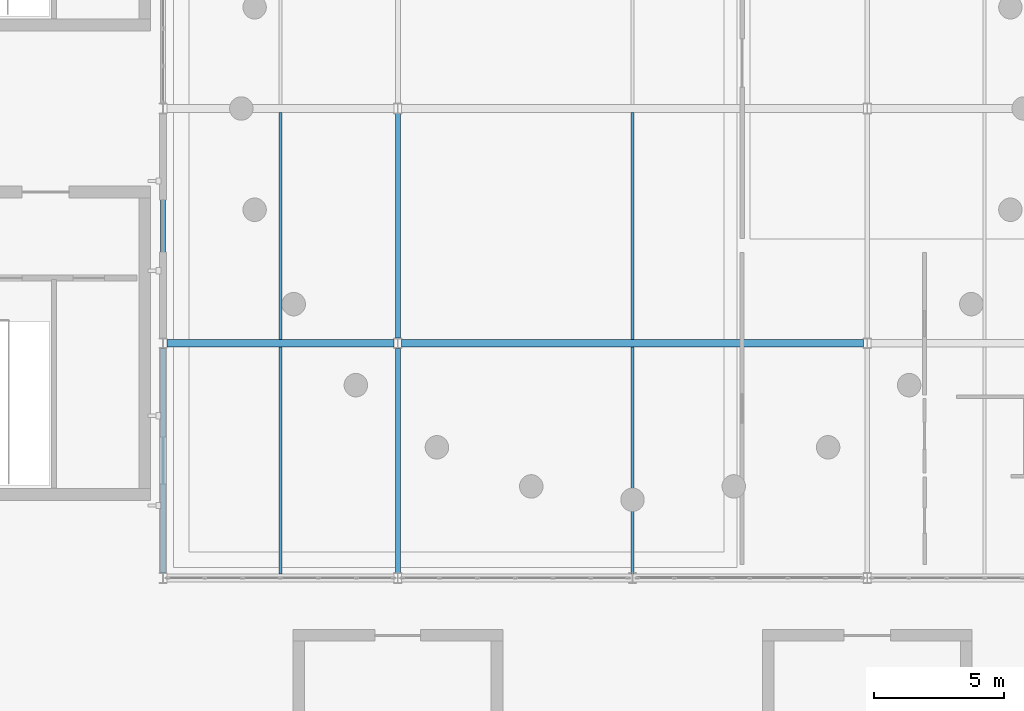
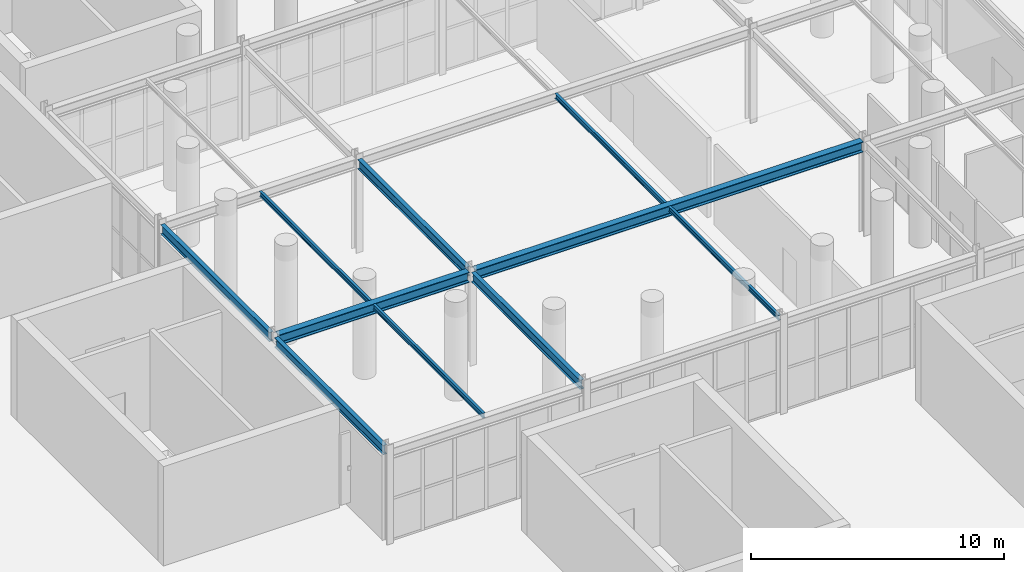
# One storey, part 7 of 29: 10 beams.
"""IFC4 building model written with IfcOpenShell, lengths in metres."""

from ifc_helpers import new_model, si_unit, direction, frame, origin, origin_2d, place, context, subcontext, project, spatial, i_section, extrude, material, material_profile, profile_set, type_object, element, save


model = new_model("IFC4")

# Units and contexts
model_context = context("Model", 3, precision=1e-05, world=origin(), true_north=direction((0.0, 1.0)))
body_context = subcontext(model_context, "Body", "Model", "MODEL_VIEW")
ifc_project = project(units=[si_unit("LENGTHUNIT", "METRE"), si_unit("AREAUNIT", "SQUARE_METRE"), si_unit("VOLUMEUNIT", "CUBIC_METRE"), si_unit("PLANEANGLEUNIT", "RADIAN"), si_unit("MASSUNIT", "GRAM", prefix="KILO")], contexts=[model_context])

# Site, building, storey
site_placement = place(None, origin())
site = spatial("IfcSite", under=ifc_project, at=site_placement, CompositionType="ELEMENT")
building_placement = place(site_placement, origin())
building = spatial("IfcBuilding", under=site, at=building_placement, Name="Dornveld Trade and Exhibition Forum", CompositionType="ELEMENT")
storey_placement = place(building_placement, frame((0.0, 0.0, 21.60009765625)))
storey = spatial("IfcBuildingStorey", under=building, at=storey_placement, Name="L04", CompositionType="ELEMENT", Elevation=21.60009765625)

# Beams
ifc_material_1 = material(Name="Steel S355J2", Category="steel")
ifc_material_profile_1 = material_profile(ifc_material_1, i_section(OverallWidth=0.300048828125, OverallDepth=0.5, WebThickness=0.014404296875, FlangeThickness=0.028076171875, FilletRadius=0.027099609375, at=origin_2d()), Name="HEB 500")
ifc_profile_set_1 = profile_set([ifc_material_profile_1], Name="Steel S355J2")
beam_type_1 = type_object("IfcBeamType", Name="BM-GIR-HEB500", PredefinedType="USERDEFINED", material=ifc_profile_set_1)
beam_1_placement = place(storey_placement, frame((99.14599609375, 72.0, 4.2998046875), z_axis=(1.0, 0.0, 0.0), x_axis=(0.0, 1.0, 0.0)))
element("IfcBeam", 1, at=beam_1_placement, inside=storey, type_object=beam_type_1, Name="L04 X-girder 1677", ObjectType="GIRDER", PredefinedType="USERDEFINED", context=body_context, shape_type="SweptSolid", body=[
    extrude(i_section(OverallWidth=0.300048828125, OverallDepth=0.5, WebThickness=0.014404296875, FlangeThickness=0.028076171875, FilletRadius=0.027099609375, at=origin_2d()), origin(), (0.0, 0.0, 1.0), 8.7080078125),
])
beam_2_placement = place(storey_placement, frame((108.14599609375, 72.0, 4.2998046875), z_axis=(1.0, 0.0, 0.0), x_axis=(0.0, 1.0, 0.0)))
element("IfcBeam", 2, at=beam_2_placement, inside=storey, type_object=beam_type_1, Name="L04 X-girder 1678", ObjectType="GIRDER", PredefinedType="USERDEFINED", context=body_context, shape_type="SweptSolid", body=[
    extrude(i_section(OverallWidth=0.300048828125, OverallDepth=0.5, WebThickness=0.014404296875, FlangeThickness=0.028076171875, FilletRadius=0.027099609375, at=origin_2d()), origin(), (0.0, 0.0, 1.0), 17.7080078125),
])
ifc_material_2 = material(Name="Steel S355J2", Category="steel")
ifc_material_profile_2 = material_profile(ifc_material_2, i_section(OverallWidth=0.1201171875, OverallDepth=0.239990234375, WebThickness=0.006103515625, FlangeThickness=0.009765625, FilletRadius=0.014892578125, at=origin_2d()), Name="IPE 240")
ifc_profile_set_2 = profile_set([ifc_material_profile_2], Name="Steel S355J2")
beam_type_2 = type_object("IfcBeamType", Name="BM-JOIST-240", PredefinedType="JOIST", material=ifc_profile_set_2)
for number, where, z_axis, x_axis, name in (
    (3, (103.5, 63.14697265625, 4.429931640625), (0.0, 1.0, 0.0), (-1.0, 0.0, 0.0), "L04 secondary joist 1698"),
    (4, (103.5, 72.14697265625, 4.429931640625), (0.0, 1.0, 0.0), (-1.0, 0.0, 0.0), "L04 secondary joist 1699"),
    (5, (117.0, 63.14697265625, 4.429931640625), (0.0, 1.0, 0.0), (-1.0, 0.0, 0.0), "L04 secondary joist 1701"),
    (6, (117.0, 72.14697265625, 4.429931640625), (0.0, 1.0, 0.0), (-1.0, 0.0, 0.0), "L04 secondary joist 1702"),
):
    element("IfcBeam", number, at=place(storey_placement, frame(where, z_axis=z_axis, x_axis=x_axis)), inside=storey, type_object=beam_type_2, Name=name, PredefinedType="JOIST", context=body_context, shape_type="SweptSolid", body=[
        extrude(i_section(OverallWidth=0.1201171875, OverallDepth=0.239990234375, WebThickness=0.006103515625, FlangeThickness=0.009765625, FilletRadius=0.014892578125, at=origin_2d()), origin(), (0.0, 0.0, 1.0), 8.7060546875),
    ])
ifc_material_3 = material(Name="Steel S355J2", Category="steel")
ifc_material_profile_3 = material_profile(ifc_material_3, i_section(OverallWidth=0.18994140625, OverallDepth=0.449951171875, WebThickness=0.009521484375, FlangeThickness=0.0146484375, FilletRadius=0.02099609375, at=origin_2d()), Name="IPE 450")
ifc_profile_set_3 = profile_set([ifc_material_profile_3], Name="Steel S355J2")
beam_type_3 = type_object("IfcBeamType", Name="BM-SEC-450", PredefinedType="BEAM", material=ifc_profile_set_3)
for number, where, z_axis, x_axis, name in (
    (7, (99.0, 63.196044921875, 4.324951171875), (0.0, 1.0, 0.0), (-1.0, 0.0, 0.0), "L04 Y-girder 1686"),
    (8, (99.0, 72.196044921875, 4.324951171875), (0.0, 1.0, 0.0), (-1.0, 0.0, 0.0), "L04 Y-girder 1687"),
    (9, (108.0, 63.196044921875, 4.324951171875), (0.0, 1.0, 0.0), (-1.0, 0.0, 0.0), "L04 Y-girder 1689"),
    (10, (108.0, 72.196044921875, 4.324951171875), (0.0, 1.0, 0.0), (-1.0, 0.0, 0.0), "L04 Y-girder 1690"),
):
    element("IfcBeam", number, at=place(storey_placement, frame(where, z_axis=z_axis, x_axis=x_axis)), inside=storey, type_object=beam_type_3, Name=name, PredefinedType="BEAM", context=body_context, shape_type="SweptSolid", body=[
        extrude(i_section(OverallWidth=0.18994140625, OverallDepth=0.449951171875, WebThickness=0.009521484375, FlangeThickness=0.0146484375, FilletRadius=0.02099609375, at=origin_2d()), origin(), (0.0, 0.0, 1.0), 8.60791015625),
    ])

save(model, "model.ifc")
